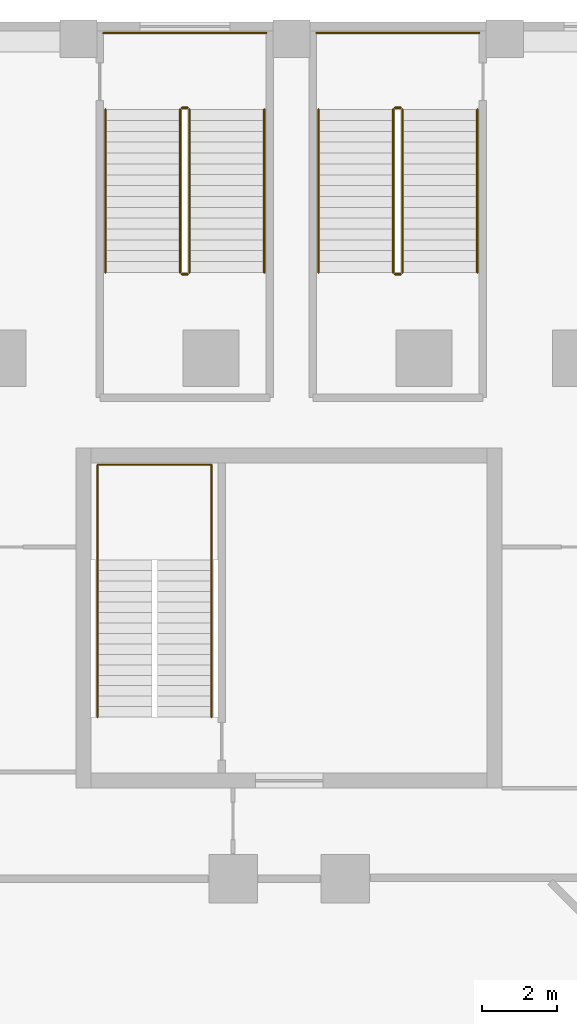
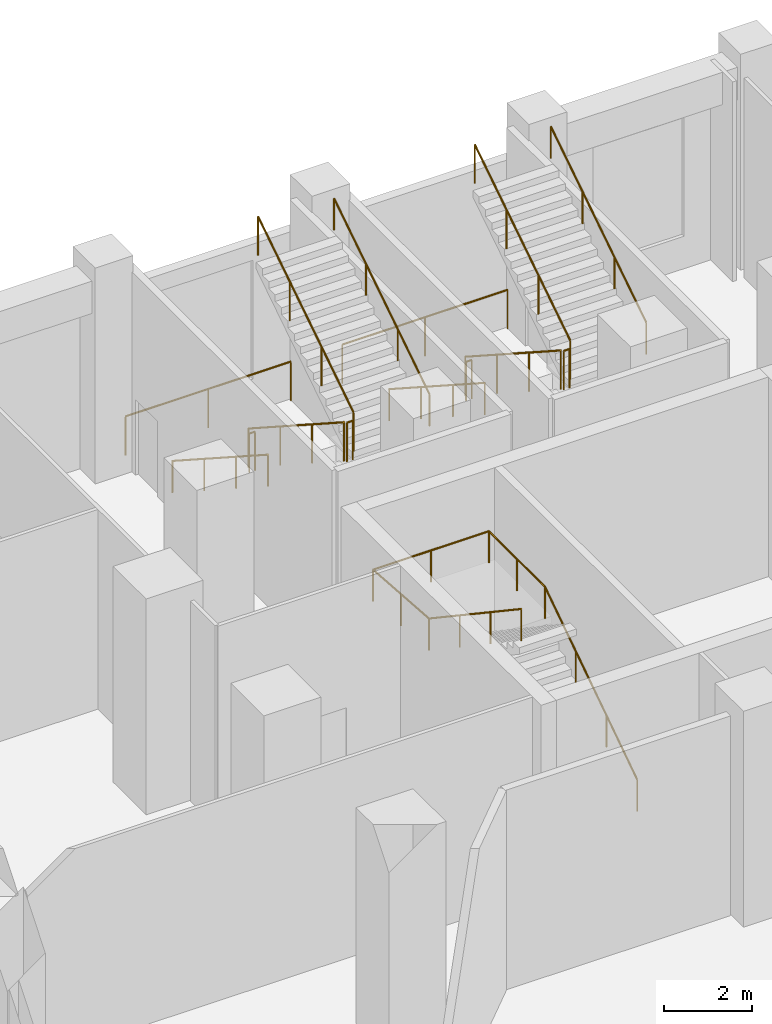
# One storey, part 15 of 15: 15 railings.
"""IFC4 building model written with IfcOpenShell, lengths in metres."""

from ifc_helpers import new_model, si_unit, direction, frame, origin, origin_2d, place, context, subcontext, project, spatial, circle, extrude, material, type_object, element, save


model = new_model("IFC4")

# Units and contexts
model_context = context("Model", 3, precision=1e-05, world=origin(), true_north=direction((0.0, 1.0)))
body_context = subcontext(model_context, "Body", "Model", "MODEL_VIEW")
ifc_project = project(units=[si_unit("LENGTHUNIT", "METRE"), si_unit("AREAUNIT", "SQUARE_METRE"), si_unit("VOLUMEUNIT", "CUBIC_METRE"), si_unit("PLANEANGLEUNIT", "RADIAN"), si_unit("MASSUNIT", "GRAM", prefix="KILO")], contexts=[model_context])

# Site, building, storey
site_placement = place(None, origin())
site = spatial("IfcSite", under=ifc_project, at=site_placement, CompositionType="ELEMENT")
building_placement = place(site_placement, origin())
building = spatial("IfcBuilding", under=site, at=building_placement, Name="Meshkara Civic Tower", CompositionType="ELEMENT")
storey_placement = place(building_placement, frame((0.0, 0.0, 12.60009765625)))
storey = spatial("IfcBuildingStorey", under=building, at=storey_placement, Name="L02", CompositionType="ELEMENT", Elevation=12.60009765625)

# Railings
ifc_material_1 = material(Name="Steel guard", Category="steel")
railing_type_1 = type_object("IfcRailingType", Name="Podium stair guard 1100", PredefinedType="GUARDRAIL", material=ifc_material_1)
railing_1_placement = place(storey_placement, frame((8.485107421875, 89.419921875, 0.1875)))
element("IfcRailing", 1, at=railing_1_placement, inside=storey, type_object=railing_type_1, Name="L02 PS1 stair guard 1", PredefinedType="GUARDRAIL", context=body_context, shape_type="SweptSolid", body=[
    extrude(circle(Radius=0.02392578125, at=origin_2d()), frame((0.0, 0.0, 1.076171875), z_axis=(0.0, -0.839755993153, 0.542963969306), x_axis=(1.0, 0.0, 0.0)), (0.0, 0.0, 1.0), 5.179931640625),
    extrude(circle(Radius=0.02099609375, at=origin_2d()), origin(), (0.0, 0.0, 1.0), 1.052001953125),
    extrude(circle(Radius=0.02099609375, at=origin_2d()), frame((0.0, -1.449951171875, 0.9375)), (0.0, 0.0, 1.0), 1.052001953125),
    extrude(circle(Radius=0.02099609375, at=origin_2d()), frame((0.0, -2.89990234375, 1.875)), (0.0, 0.0, 1.0), 1.052001953125),
    extrude(circle(Radius=0.02099609375, at=origin_2d()), frame((0.0, -4.349853515625, 2.8125)), (0.0, 0.0, 1.0), 1.052001953125),
])
railing_2_placement = place(storey_placement, frame((8.534912109375, 85.02001953125, 3.0)))
element("IfcRailing", 2, at=railing_2_placement, inside=storey, type_object=railing_type_1, Name="L02 PS1 stair guard 2", PredefinedType="GUARDRAIL", context=body_context, shape_type="SweptSolid", body=[
    extrude(circle(Radius=0.02392578125, at=origin_2d()), frame((0.0, 0.0, 1.076171875), z_axis=(1.0, 0.0, 0.0), x_axis=(0.0, 1.0, 0.0)), (0.0, 0.0, 1.0), 0.150146484375),
    extrude(circle(Radius=0.02099609375, at=origin_2d()), origin(), (0.0, 0.0, 1.0), 1.052001953125),
    extrude(circle(Radius=0.02099609375, at=origin_2d()), frame((0.150146484375, 0.0, 0.0)), (0.0, 0.0, 1.0), 1.052001953125),
])
railing_3_placement = place(storey_placement, frame((8.735107421875, 85.070068359375, 3.1875)))
element("IfcRailing", 3, at=railing_3_placement, inside=storey, type_object=railing_type_1, Name="L02 PS1 stair guard 3", PredefinedType="GUARDRAIL", context=body_context, shape_type="SweptSolid", body=[
    extrude(circle(Radius=0.02392578125, at=origin_2d()), frame((0.0, 0.0, 1.076171875), z_axis=(0.0, 0.839755993153, 0.542963969306), x_axis=(-1.0, 0.0, 0.0)), (0.0, 0.0, 1.0), 5.179931640625),
    extrude(circle(Radius=0.02099609375, at=origin_2d()), origin(), (0.0, 0.0, 1.0), 1.052001953125),
    extrude(circle(Radius=0.02099609375, at=origin_2d()), frame((0.0, 1.449951171875, 0.9375)), (0.0, 0.0, 1.0), 1.052001953125),
    extrude(circle(Radius=0.02099609375, at=origin_2d()), frame((0.0, 2.89990234375, 1.875)), (0.0, 0.0, 1.0), 1.052001953125),
    extrude(circle(Radius=0.02099609375, at=origin_2d()), frame((0.0, 4.349853515625, 2.8125)), (0.0, 0.0, 1.0), 1.052001953125),
])
railing_4_placement = place(storey_placement, frame((8.534912109375, 89.469970703125, 0.0)))
element("IfcRailing", 4, at=railing_4_placement, inside=storey, type_object=railing_type_1, Name="L02 PS1 stair guard 4", PredefinedType="GUARDRAIL", context=body_context, shape_type="SweptSolid", body=[
    extrude(circle(Radius=0.02392578125, at=origin_2d()), frame((0.0, 0.0, 1.076171875), z_axis=(1.0, 0.0, 0.0), x_axis=(0.0, 1.0, 0.0)), (0.0, 0.0, 1.0), 0.150146484375),
    extrude(circle(Radius=0.02099609375, at=origin_2d()), origin(), (0.0, 0.0, 1.0), 1.052001953125),
    extrude(circle(Radius=0.02099609375, at=origin_2d()), frame((0.150146484375, 0.0, 0.0)), (0.0, 0.0, 1.0), 1.052001953125),
])
railing_5_placement = place(storey_placement, frame((6.43505859375, 91.469970703125, 0.0)))
element("IfcRailing", 5, at=railing_5_placement, inside=storey, type_object=railing_type_1, Name="L02 PS1 stair guard 5", PredefinedType="GUARDRAIL", context=body_context, shape_type="SweptSolid", body=[
    extrude(circle(Radius=0.02392578125, at=origin_2d()), frame((0.0, 0.0, 1.076171875), z_axis=(1.0, 0.0, 0.0), x_axis=(0.0, 1.0, 0.0)), (0.0, 0.0, 1.0), 4.349853515625),
    extrude(circle(Radius=0.02099609375, at=origin_2d()), origin(), (0.0, 0.0, 1.0), 1.052001953125),
    extrude(circle(Radius=0.02099609375, at=origin_2d()), frame((2.1748046875, 0.0, 0.0)), (0.0, 0.0, 1.0), 1.052001953125),
    extrude(circle(Radius=0.02099609375, at=origin_2d()), frame((4.349853515625, 0.0, 0.0)), (0.0, 0.0, 1.0), 1.052001953125),
])
railing_6_placement = place(storey_placement, frame((14.18505859375, 89.419921875, 0.1875)))
element("IfcRailing", 6, at=railing_6_placement, inside=storey, type_object=railing_type_1, Name="L02 PS2 stair guard 1", PredefinedType="GUARDRAIL", context=body_context, shape_type="SweptSolid", body=[
    extrude(circle(Radius=0.02392578125, at=origin_2d()), frame((0.0, 0.0, 1.076171875), z_axis=(0.0, -0.839755993153, 0.542963969306), x_axis=(1.0, 0.0, 0.0)), (0.0, 0.0, 1.0), 5.179931640625),
    extrude(circle(Radius=0.02099609375, at=origin_2d()), origin(), (0.0, 0.0, 1.0), 1.052001953125),
    extrude(circle(Radius=0.02099609375, at=origin_2d()), frame((0.0, -1.449951171875, 0.9375)), (0.0, 0.0, 1.0), 1.052001953125),
    extrude(circle(Radius=0.02099609375, at=origin_2d()), frame((0.0, -2.89990234375, 1.875)), (0.0, 0.0, 1.0), 1.052001953125),
    extrude(circle(Radius=0.02099609375, at=origin_2d()), frame((0.0, -4.349853515625, 2.8125)), (0.0, 0.0, 1.0), 1.052001953125),
])
railing_7_placement = place(storey_placement, frame((14.235107421875, 85.02001953125, 3.0)))
element("IfcRailing", 7, at=railing_7_placement, inside=storey, type_object=railing_type_1, Name="L02 PS2 stair guard 2", PredefinedType="GUARDRAIL", context=body_context, shape_type="SweptSolid", body=[
    extrude(circle(Radius=0.02392578125, at=origin_2d()), frame((0.0, 0.0, 1.076171875), z_axis=(1.0, 0.0, 0.0), x_axis=(0.0, 1.0, 0.0)), (0.0, 0.0, 1.0), 0.14990234375),
    extrude(circle(Radius=0.02099609375, at=origin_2d()), origin(), (0.0, 0.0, 1.0), 1.052001953125),
    extrude(circle(Radius=0.02099609375, at=origin_2d()), frame((0.14990234375, 0.0, 0.0)), (0.0, 0.0, 1.0), 1.052001953125),
])
railing_8_placement = place(storey_placement, frame((14.43505859375, 85.070068359375, 3.1875)))
element("IfcRailing", 8, at=railing_8_placement, inside=storey, type_object=railing_type_1, Name="L02 PS2 stair guard 3", PredefinedType="GUARDRAIL", context=body_context, shape_type="SweptSolid", body=[
    extrude(circle(Radius=0.02392578125, at=origin_2d()), frame((0.0, 0.0, 1.076171875), z_axis=(0.0, 0.839755993153, 0.542963969306), x_axis=(-1.0, 0.0, 0.0)), (0.0, 0.0, 1.0), 5.179931640625),
    extrude(circle(Radius=0.02099609375, at=origin_2d()), origin(), (0.0, 0.0, 1.0), 1.052001953125),
    extrude(circle(Radius=0.02099609375, at=origin_2d()), frame((0.0, 1.449951171875, 0.9375)), (0.0, 0.0, 1.0), 1.052001953125),
    extrude(circle(Radius=0.02099609375, at=origin_2d()), frame((0.0, 2.89990234375, 1.875)), (0.0, 0.0, 1.0), 1.052001953125),
    extrude(circle(Radius=0.02099609375, at=origin_2d()), frame((0.0, 4.349853515625, 2.8125)), (0.0, 0.0, 1.0), 1.052001953125),
])
railing_9_placement = place(storey_placement, frame((14.235107421875, 89.469970703125, 0.0)))
element("IfcRailing", 9, at=railing_9_placement, inside=storey, type_object=railing_type_1, Name="L02 PS2 stair guard 4", PredefinedType="GUARDRAIL", context=body_context, shape_type="SweptSolid", body=[
    extrude(circle(Radius=0.02392578125, at=origin_2d()), frame((0.0, 0.0, 1.076171875), z_axis=(1.0, 0.0, 0.0), x_axis=(0.0, 1.0, 0.0)), (0.0, 0.0, 1.0), 0.14990234375),
    extrude(circle(Radius=0.02099609375, at=origin_2d()), origin(), (0.0, 0.0, 1.0), 1.052001953125),
    extrude(circle(Radius=0.02099609375, at=origin_2d()), frame((0.14990234375, 0.0, 0.0)), (0.0, 0.0, 1.0), 1.052001953125),
])
railing_10_placement = place(storey_placement, frame((12.135009765625, 91.469970703125, 0.0)))
element("IfcRailing", 10, at=railing_10_placement, inside=storey, type_object=railing_type_1, Name="L02 PS2 stair guard 5", PredefinedType="GUARDRAIL", context=body_context, shape_type="SweptSolid", body=[
    extrude(circle(Radius=0.02392578125, at=origin_2d()), frame((0.0, 0.0, 1.076171875), z_axis=(1.0, 0.0, 0.0), x_axis=(0.0, 1.0, 0.0)), (0.0, 0.0, 1.0), 4.35009765625),
    extrude(circle(Radius=0.02099609375, at=origin_2d()), origin(), (0.0, 0.0, 1.0), 1.052001953125),
    extrude(circle(Radius=0.02099609375, at=origin_2d()), frame((2.175048828125, 0.0, 0.0)), (0.0, 0.0, 1.0), 1.052001953125),
    extrude(circle(Radius=0.02099609375, at=origin_2d()), frame((4.35009765625, 0.0, 0.0)), (0.0, 0.0, 1.0), 1.052001953125),
])
ifc_material_2 = material(Name="Steel handrail", Category="steel")
railing_type_2 = type_object("IfcRailingType", Name="Podium stair handrail 900", PredefinedType="HANDRAIL", material=ifc_material_2)
railing_11_placement = place(storey_placement, frame((6.485107421875, 89.419921875, 0.1875)))
element("IfcRailing", 11, at=railing_11_placement, inside=storey, type_object=railing_type_2, Name="L02 PS1 stair handrail 1", PredefinedType="HANDRAIL", context=body_context, shape_type="SweptSolid", body=[
    extrude(circle(Radius=0.02392578125, at=origin_2d()), frame((0.0, 0.0, 0.8759765625), z_axis=(0.0, -0.839755993153, 0.542963969306), x_axis=(1.0, 0.0, 0.0)), (0.0, 0.0, 1.0), 5.179931640625),
    extrude(circle(Radius=0.02099609375, at=origin_2d()), origin(), (0.0, 0.0, 1.0), 0.851806640625),
    extrude(circle(Radius=0.02099609375, at=origin_2d()), frame((0.0, -1.449951171875, 0.9375)), (0.0, 0.0, 1.0), 0.851806640625),
    extrude(circle(Radius=0.02099609375, at=origin_2d()), frame((0.0, -2.89990234375, 1.875)), (0.0, 0.0, 1.0), 0.851806640625),
    extrude(circle(Radius=0.02099609375, at=origin_2d()), frame((0.0, -4.349853515625, 2.8125)), (0.0, 0.0, 1.0), 0.851806640625),
])
railing_12_placement = place(storey_placement, frame((10.735107421875, 85.070068359375, 3.1875)))
element("IfcRailing", 12, at=railing_12_placement, inside=storey, type_object=railing_type_2, Name="L02 PS1 stair handrail 2", PredefinedType="HANDRAIL", context=body_context, shape_type="SweptSolid", body=[
    extrude(circle(Radius=0.02392578125, at=origin_2d()), frame((0.0, 0.0, 0.8759765625), z_axis=(0.0, 0.839755993153, 0.542963969306), x_axis=(-1.0, 0.0, 0.0)), (0.0, 0.0, 1.0), 5.179931640625),
    extrude(circle(Radius=0.02099609375, at=origin_2d()), origin(), (0.0, 0.0, 1.0), 0.851806640625),
    extrude(circle(Radius=0.02099609375, at=origin_2d()), frame((0.0, 1.449951171875, 0.9375)), (0.0, 0.0, 1.0), 0.851806640625),
    extrude(circle(Radius=0.02099609375, at=origin_2d()), frame((0.0, 2.89990234375, 1.875)), (0.0, 0.0, 1.0), 0.851806640625),
    extrude(circle(Radius=0.02099609375, at=origin_2d()), frame((0.0, 4.349853515625, 2.8125)), (0.0, 0.0, 1.0), 0.851806640625),
])
railing_13_placement = place(storey_placement, frame((12.18505859375, 89.419921875, 0.1875)))
element("IfcRailing", 13, at=railing_13_placement, inside=storey, type_object=railing_type_2, Name="L02 PS2 stair handrail 1", PredefinedType="HANDRAIL", context=body_context, shape_type="SweptSolid", body=[
    extrude(circle(Radius=0.02392578125, at=origin_2d()), frame((0.0, 0.0, 0.8759765625), z_axis=(0.0, -0.839755993153, 0.542963969306), x_axis=(1.0, 0.0, 0.0)), (0.0, 0.0, 1.0), 5.179931640625),
    extrude(circle(Radius=0.02099609375, at=origin_2d()), origin(), (0.0, 0.0, 1.0), 0.851806640625),
    extrude(circle(Radius=0.02099609375, at=origin_2d()), frame((0.0, -1.449951171875, 0.9375)), (0.0, 0.0, 1.0), 0.851806640625),
    extrude(circle(Radius=0.02099609375, at=origin_2d()), frame((0.0, -2.89990234375, 1.875)), (0.0, 0.0, 1.0), 0.851806640625),
    extrude(circle(Radius=0.02099609375, at=origin_2d()), frame((0.0, -4.349853515625, 2.8125)), (0.0, 0.0, 1.0), 0.851806640625),
])
railing_14_placement = place(storey_placement, frame((16.43505859375, 85.070068359375, 3.1875)))
element("IfcRailing", 14, at=railing_14_placement, inside=storey, type_object=railing_type_2, Name="L02 PS2 stair handrail 2", PredefinedType="HANDRAIL", context=body_context, shape_type="SweptSolid", body=[
    extrude(circle(Radius=0.02392578125, at=origin_2d()), frame((0.0, 0.0, 0.8759765625), z_axis=(0.0, 0.839755993153, 0.542963969306), x_axis=(-1.0, 0.0, 0.0)), (0.0, 0.0, 1.0), 5.179931640625),
    extrude(circle(Radius=0.02099609375, at=origin_2d()), origin(), (0.0, 0.0, 1.0), 0.851806640625),
    extrude(circle(Radius=0.02099609375, at=origin_2d()), frame((0.0, 1.449951171875, 0.9375)), (0.0, 0.0, 1.0), 0.851806640625),
    extrude(circle(Radius=0.02099609375, at=origin_2d()), frame((0.0, 2.89990234375, 1.875)), (0.0, 0.0, 1.0), 0.851806640625),
    extrude(circle(Radius=0.02099609375, at=origin_2d()), frame((0.0, 4.349853515625, 2.8125)), (0.0, 0.0, 1.0), 0.851806640625),
])
ifc_material_3 = material(Name="Steel handrail", Category="steel")
railing_type_3 = type_object("IfcRailingType", Name="Stair handrail 900", PredefinedType="HANDRAIL", material=ifc_material_3)
railing_15_placement = place(storey_placement, frame((9.324951171875, 73.169921875, 0.1875)))
element("IfcRailing", 15, at=railing_15_placement, inside=storey, type_object=railing_type_3, Name="L02 ESA1 stair handrail 1", PredefinedType="HANDRAIL", context=body_context, shape_type="SweptSolid", body=[
    extrude(circle(Radius=0.02392578125, at=origin_2d()), frame((0.0, 0.0, 0.8759765625), z_axis=(0.0, 0.830919138977, 0.55639319234), x_axis=(-1.0, 0.0, 0.0)), (0.0, 0.0, 1.0), 5.054931640625),
    extrude(circle(Radius=0.02392578125, at=origin_2d()), frame((0.0, 4.2001953125, 3.6884765625), z_axis=(0.0, 1.0, 0.0), x_axis=(-1.0, 0.0, 0.0)), (0.0, 0.0, 1.0), 2.5498046875),
    extrude(circle(Radius=0.02392578125, at=origin_2d()), frame((0.0, 6.75, 3.6884765625), z_axis=(-1.0, 0.0, 0.0), x_axis=(0.0, -1.0, 0.0)), (0.0, 0.0, 1.0), 3.050048828125),
    extrude(circle(Radius=0.02392578125, at=origin_2d()), frame((-3.050048828125, 6.75, 3.6884765625), z_axis=(0.0, -0.997307214473, 0.073337029942), x_axis=(1.0, 0.0, 0.0)), (0.0, 0.0, 1.0), 2.556640625),
    extrude(circle(Radius=0.02392578125, at=origin_2d()), frame((-3.050048828125, 4.2001953125, 3.8759765625), z_axis=(0.0, -0.830919138977, 0.55639319234), x_axis=(1.0, 0.0, 0.0)), (0.0, 0.0, 1.0), 5.054931640625),
    extrude(circle(Radius=0.02099609375, at=origin_2d()), origin(), (0.0, 0.0, 1.0), 0.851806640625),
    extrude(circle(Radius=0.02099609375, at=origin_2d()), frame((0.0, 1.400146484375, 0.9375)), (0.0, 0.0, 1.0), 0.851806640625),
    extrude(circle(Radius=0.02099609375, at=origin_2d()), frame((0.0, 2.800048828125, 1.875)), (0.0, 0.0, 1.0), 0.851806640625),
    extrude(circle(Radius=0.02099609375, at=origin_2d()), frame((0.0, 4.2001953125, 2.8125)), (0.0, 0.0, 1.0), 0.851806640625),
    extrude(circle(Radius=0.02099609375, at=origin_2d()), frame((0.0, 5.47509765625, 2.8125)), (0.0, 0.0, 1.0), 0.851806640625),
    extrude(circle(Radius=0.02099609375, at=origin_2d()), frame((0.0, 6.75, 2.8125)), (0.0, 0.0, 1.0), 0.851806640625),
    extrude(circle(Radius=0.02099609375, at=origin_2d()), frame((-1.52490234375, 6.75, 2.8125)), (0.0, 0.0, 1.0), 0.851806640625),
    extrude(circle(Radius=0.02099609375, at=origin_2d()), frame((-3.050048828125, 6.75, 2.8125)), (0.0, 0.0, 1.0), 0.851806640625),
    extrude(circle(Radius=0.02099609375, at=origin_2d()), frame((-3.050048828125, 5.47509765625, 2.90625)), (0.0, 0.0, 1.0), 0.851806640625),
    extrude(circle(Radius=0.02099609375, at=origin_2d()), frame((-3.050048828125, 4.2001953125, 3.0)), (0.0, 0.0, 1.0), 0.851806640625),
    extrude(circle(Radius=0.02099609375, at=origin_2d()), frame((-3.050048828125, 2.800048828125, 3.9375)), (0.0, 0.0, 1.0), 0.851806640625),
    extrude(circle(Radius=0.02099609375, at=origin_2d()), frame((-3.050048828125, 1.400146484375, 4.875)), (0.0, 0.0, 1.0), 0.851806640625),
    extrude(circle(Radius=0.02099609375, at=origin_2d()), frame((-3.050048828125, 0.0, 5.8125)), (0.0, 0.0, 1.0), 0.851806640625),
])

save(model, "model.ifc")
